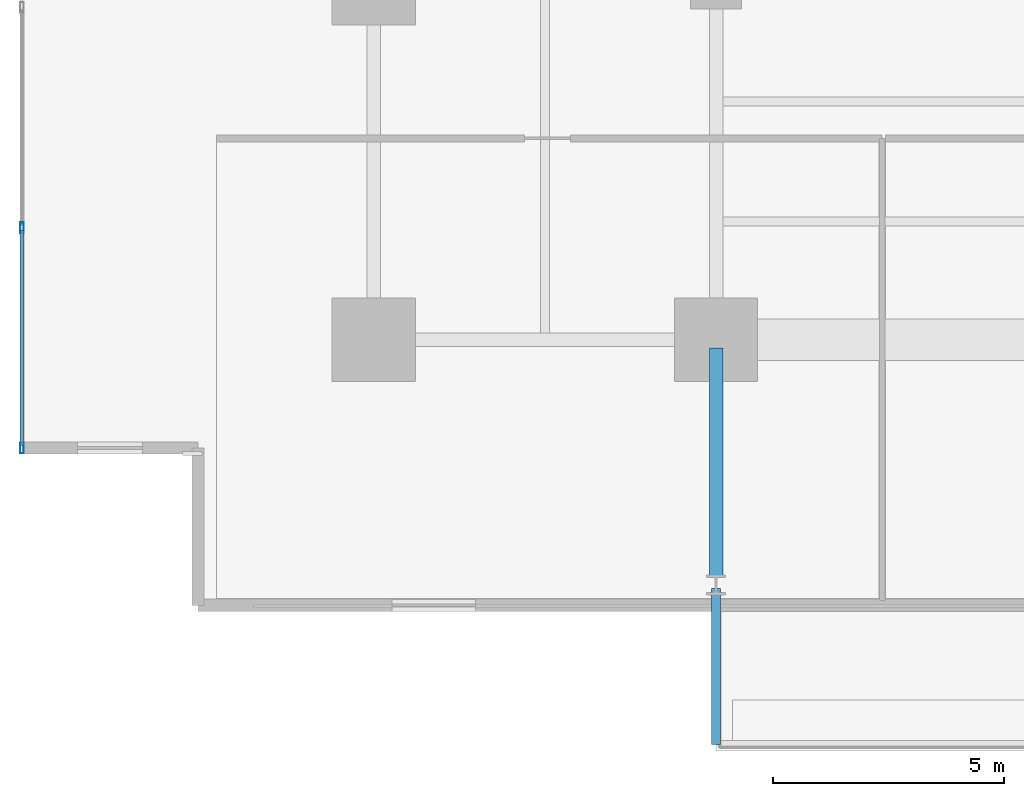
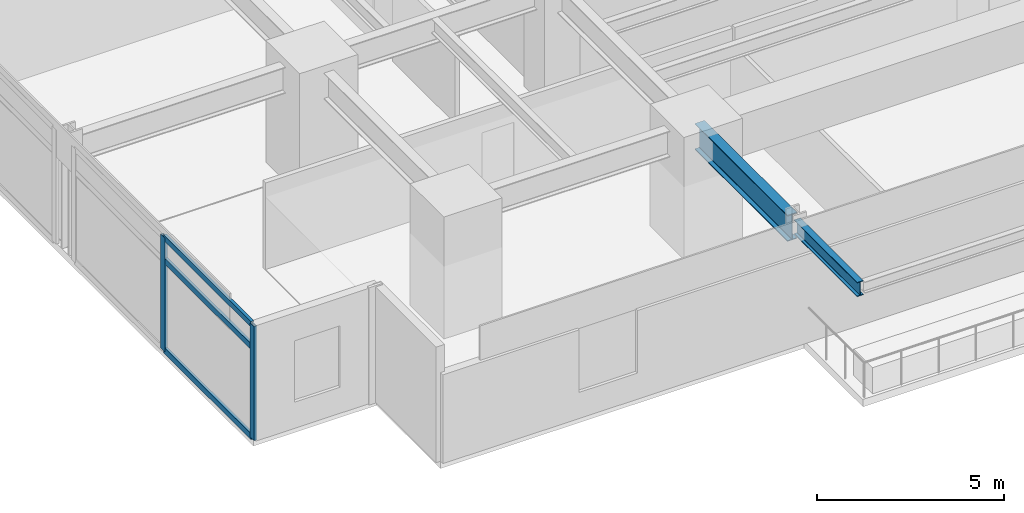
# One storey, part 2 of 25: 5 members, 2 beams, 1 element without a shape of its own.
"""IFC4 building model written with IfcOpenShell, lengths in metres."""

from ifc_helpers import new_model, si_unit, direction, frame, origin, origin_2d, place, context, subcontext, project, spatial, hollow_rectangle, i_section, extrude, material, material_profile, profile_set, type_object, element, aggregate, save


model = new_model("IFC4")

# Units and contexts
model_context = context("Model", 3, precision=1e-05, world=origin(), true_north=direction((0.0, 1.0)))
body_context = subcontext(model_context, "Body", "Model", "MODEL_VIEW")
ifc_project = project(units=[si_unit("LENGTHUNIT", "METRE"), si_unit("AREAUNIT", "SQUARE_METRE"), si_unit("VOLUMEUNIT", "CUBIC_METRE"), si_unit("PLANEANGLEUNIT", "RADIAN"), si_unit("MASSUNIT", "GRAM", prefix="KILO")], contexts=[model_context])

# Site, building, storey
site_placement = place(None, origin())
site = spatial("IfcSite", under=ifc_project, at=site_placement, CompositionType="ELEMENT")
building_placement = place(site_placement, origin())
building = spatial("IfcBuilding", under=site, at=building_placement, Name="Kovane Verandah Tower", CompositionType="ELEMENT")
storey_placement = place(building_placement, frame((0.0, 0.0, 67.60009765625)))
storey = spatial("IfcBuildingStorey", under=building, at=storey_placement, Name="L15", CompositionType="ELEMENT", Elevation=67.60009765625)

# Beam
ifc_material_1 = material(Name="Steel S355", Category="steel")
ifc_material_profile_1 = material_profile(ifc_material_1, i_section(OverallWidth=0.293701171875, OverallDepth=0.850830078125, WebThickness=0.01611328125, FlangeThickness=0.02685546875, FilletRadius=0.017822265625, at=origin_2d()), Name="UB838x292x226")
ifc_profile_set_1 = profile_set([ifc_material_profile_1], Name="Steel S355")
beam_type_1 = type_object("IfcBeamType", Name="BM-UB838x226", PredefinedType="BEAM", material=ifc_profile_set_1)
beam_1_placement = place(storey_placement, frame((29.0, 10.6201171875, 3.33447265625), z_axis=(0.0, -1.0, 0.0), x_axis=(1.0, 0.0, 0.0)))
element("IfcBeam", 1, at=beam_1_placement, inside=storey, type_object=beam_type_1, Name="L15 Primary Tower Girder G-VS1", PredefinedType="BEAM", context=body_context, shape_type="SweptSolid", body=[
    extrude(i_section(OverallWidth=0.293701171875, OverallDepth=0.850830078125, WebThickness=0.01611328125, FlangeThickness=0.02685546875, FilletRadius=0.017822265625, at=origin_2d()), origin(), (0.0, 0.0, 1.0), 4.940185546875),
])

# Curtain wall, members
ifc_material_2 = material(Name="Champagne Anodised Aluminium Frame with Low-E Clear Laminated Glass", Category="aluminium")
curtain_wall_type = type_object("IfcCurtainWallType", Name="CW-SYS-02-LOW", PredefinedType="NOTDEFINED", material=ifc_material_2)
curtain_wall_placement = place(storey_placement, origin())
curtain_wall = element("IfcCurtainWall", 2, at=curtain_wall_placement, inside=storey, type_object=curtain_wall_type, Name="L15 W Unitised Curtain Wall-3", PredefinedType="NOTDEFINED")
ifc_material_3 = material(Name="Champagne Anodised Aluminium 6063-T6", Category="aluminium")
ifc_material_profile_2 = material_profile(ifc_material_3, hollow_rectangle(XDim=0.0849609375, YDim=0.22998046875, WallThickness=0.00390625, at=origin_2d()), Name="AL85x230x4")
ifc_profile_set_2 = profile_set([ifc_material_profile_2], Name="Champagne Anodised Aluminium 6063-T6")
member_type_1 = type_object("IfcMemberType", Name="CW-MUL-85x230", PredefinedType="MULLION", material=ifc_profile_set_2)
member_1_placement = place(storey_placement, frame((13.998779296875, 13.219482421875, 0.02001953125), z_axis=(0.0, 0.0, 1.0), x_axis=(-1.0, 0.0, 0.0)))
member_1 = element("IfcMember", 3, at=member_1_placement, type_object=member_type_1, Name="L15 W Unitised Curtain Wall-3 Mullion 2", PredefinedType="MULLION", context=body_context, shape_type="SweptSolid", body=[
    extrude(hollow_rectangle(XDim=0.0849609375, YDim=0.22998046875, WallThickness=0.00390625, at=origin_2d()), origin(), (0.0, 0.0, 1.0), 3.719970703125),
])
member_2_placement = place(storey_placement, frame((13.998779296875, 8.459228515625, 0.02001953125), z_axis=(0.0, 0.0, 1.0), x_axis=(-1.0, 0.0, 0.0)))
member_2 = element("IfcMember", 4, at=member_2_placement, type_object=member_type_1, Name="L15 W Unitised Curtain Wall-3 Mullion 3", PredefinedType="MULLION", context=body_context, shape_type="SweptSolid", body=[
    extrude(hollow_rectangle(XDim=0.0849609375, YDim=0.22998046875, WallThickness=0.00390625, at=origin_2d()), origin(), (0.0, 0.0, 1.0), 3.719970703125),
])
ifc_material_profile_3 = material_profile(ifc_material_3, hollow_rectangle(XDim=0.0849609375, YDim=0.18994140625, WallThickness=0.00390625, at=origin_2d()), Name="AL85x190x4")
ifc_profile_set_3 = profile_set([ifc_material_profile_3], Name="Champagne Anodised Aluminium 6063-T6")
member_type_2 = type_object("IfcMemberType", Name="CW-TRN-85x190", PredefinedType="USERDEFINED", material=ifc_profile_set_3)
member_3_placement = place(storey_placement, frame((13.998779296875, 13.169677734375, 0.0498046875), z_axis=(0.0, -1.0, 0.0), x_axis=(1.0, 0.0, 0.0)))
member_3 = element("IfcMember", 5, at=member_3_placement, type_object=member_type_2, Name="L15 W Unitised Curtain Wall-3 Transom TB Bay 2", ObjectType="TRANSOM", PredefinedType="USERDEFINED", context=body_context, shape_type="SweptSolid", body=[
    extrude(hollow_rectangle(XDim=0.0849609375, YDim=0.18994140625, WallThickness=0.00390625, at=origin_2d()), origin(), (0.0, 0.0, 1.0), 4.660400390625),
])
member_4_placement = place(storey_placement, frame((13.998779296875, 13.169677734375, 2.97998046875), z_axis=(0.0, -1.0, 0.0), x_axis=(1.0, 0.0, 0.0)))
member_4 = element("IfcMember", 6, at=member_4_placement, type_object=member_type_2, Name="L15 W Unitised Curtain Wall-3 Transom TM Bay 2", ObjectType="TRANSOM", PredefinedType="USERDEFINED", context=body_context, shape_type="SweptSolid", body=[
    extrude(hollow_rectangle(XDim=0.0849609375, YDim=0.18994140625, WallThickness=0.00390625, at=origin_2d()), origin(), (0.0, 0.0, 1.0), 4.660400390625),
])
member_5_placement = place(storey_placement, frame((13.998779296875, 13.169677734375, 3.7099609375), z_axis=(0.0, -1.0, 0.0), x_axis=(1.0, 0.0, 0.0)))
member_5 = element("IfcMember", 7, at=member_5_placement, type_object=member_type_2, Name="L15 W Unitised Curtain Wall-3 Transom TT Bay 2", ObjectType="TRANSOM", PredefinedType="USERDEFINED", context=body_context, shape_type="SweptSolid", body=[
    extrude(hollow_rectangle(XDim=0.0849609375, YDim=0.18994140625, WallThickness=0.00390625, at=origin_2d()), origin(), (0.0, 0.0, 1.0), 4.660400390625),
])
aggregate(curtain_wall, [member_1, member_2, member_3, member_4, member_5])

# Beam
ifc_material_profile_4 = material_profile(ifc_material_1, i_section(OverallWidth=0.19287109375, OverallDepth=0.46728515625, WebThickness=0.011474609375, FlangeThickness=0.01953125, FilletRadius=0.01025390625, at=origin_2d()), Name="UB457x191x98")
ifc_profile_set_4 = profile_set([ifc_material_profile_4], Name="Steel S355")
beam_type_2 = type_object("IfcBeamType", Name="JST-UB457x98", PredefinedType="JOIST", material=ifc_profile_set_4)
beam_2_placement = place(storey_placement, frame((29.0, 5.419921875, 3.5263671875), z_axis=(0.0, -1.0, 0.0), x_axis=(1.0, 0.0, 0.0)))
element("IfcBeam", 8, at=beam_2_placement, inside=storey, type_object=beam_type_2, Name="L15 South Planter Girder 1", PredefinedType="JOIST", context=body_context, shape_type="SweptSolid", body=[
    extrude(i_section(OverallWidth=0.19287109375, OverallDepth=0.46728515625, WebThickness=0.011474609375, FlangeThickness=0.01953125, FilletRadius=0.01025390625, at=origin_2d()), origin(), (0.0, 0.0, 1.0), 3.370361328125),
])

save(model, "model.ifc")
